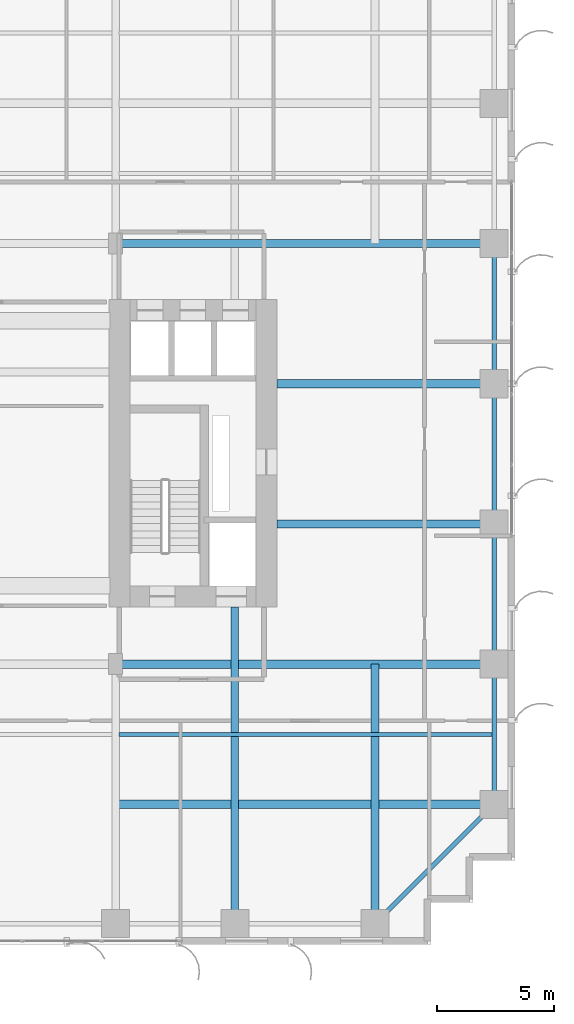
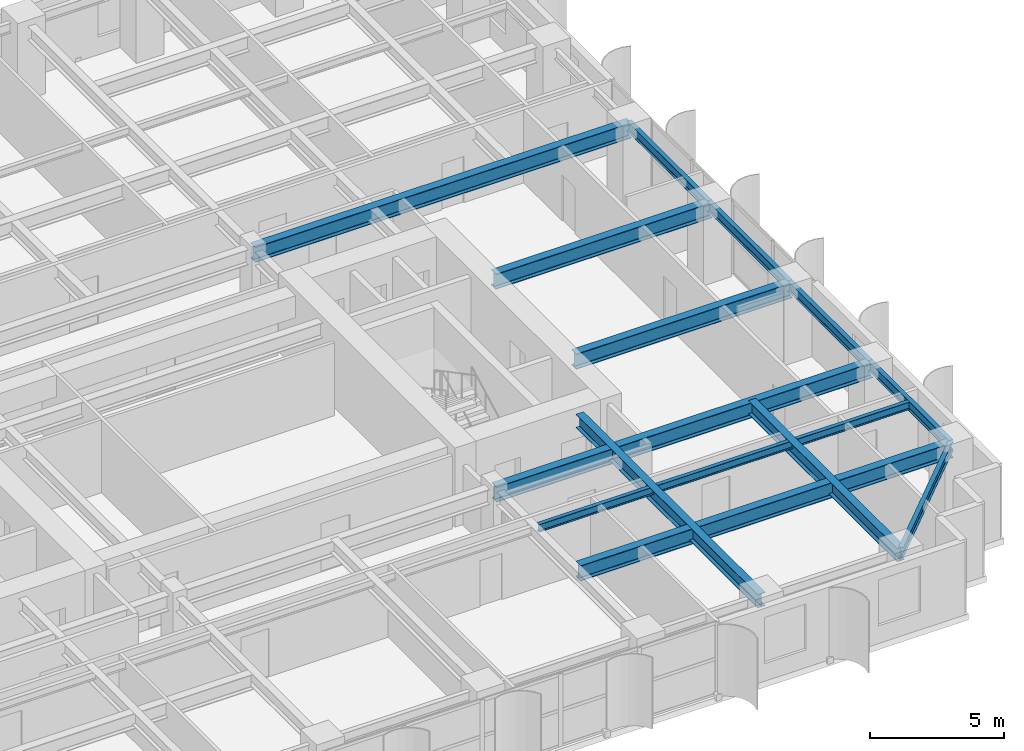
# One storey, part 10 of 25: 13 beams.
"""IFC4 building model written with IfcOpenShell, lengths in metres."""

from ifc_helpers import new_model, si_unit, direction, frame, origin, origin_2d, place, context, subcontext, project, spatial, i_section, extrude, source, transform, mapped, material, material_profile, profile_set, type_object, element, save


model = new_model("IFC4")

# Units and contexts
model_context = context("Model", 3, precision=1e-05, world=origin(), true_north=direction((0.0, 1.0)))
body_context = subcontext(model_context, "Body", "Model", "MODEL_VIEW")
ifc_project = project(units=[si_unit("LENGTHUNIT", "METRE"), si_unit("AREAUNIT", "SQUARE_METRE"), si_unit("VOLUMEUNIT", "CUBIC_METRE"), si_unit("PLANEANGLEUNIT", "RADIAN"), si_unit("MASSUNIT", "GRAM", prefix="KILO")], contexts=[model_context])

# Site, building, storey
site_placement = place(None, origin())
site = spatial("IfcSite", under=ifc_project, at=site_placement, CompositionType="ELEMENT")
building_placement = place(site_placement, origin())
building = spatial("IfcBuilding", under=site, at=building_placement, Name="Khoralis Quay Care Tower", CompositionType="ELEMENT")
storey_placement = place(building_placement, frame((0.0, 0.0, 51.300048828125)))
storey = spatial("IfcBuildingStorey", under=building, at=storey_placement, Name="L13", CompositionType="ELEMENT", Elevation=51.300048828125)

# Beams
ifc_material = material(Name="Steel S355", Category="steel")
ifc_material_profile_1 = material_profile(ifc_material, i_section(OverallWidth=0.18994140625, OverallDepth=0.449951171875, WebThickness=0.009521484375, FlangeThickness=0.0146484375, FilletRadius=0.02099609375, at=origin_2d()), Name="Steel S355")
ifc_profile_set_1 = profile_set([ifc_material_profile_1], Name="Steel S355")
beam_type_1 = type_object("IfcBeamType", Name="BM-IPE450", PredefinedType="SPANDREL", material=ifc_profile_set_1)
shared_shape_1 = source(origin(), body_context, "Body", "SweptSolid", [
    extrude(i_section(OverallWidth=0.18994140625, OverallDepth=0.449951171875, WebThickness=0.009521484375, FlangeThickness=0.0146484375, FilletRadius=0.02099609375, at=origin_2d()), origin(), (0.0, 0.0, 1.0), 6.0),
])
for number, where, z_axis, x_axis, name in (
    (1, (47.10009765625, 6.0, 3.094970703125), (0.0, 1.0, 0.0), (-1.0, 0.0, 0.0), "BM-TSP-L13-19"),
    (2, (47.10009765625, 12.0, 3.094970703125), (0.0, 1.0, 0.0), (-1.0, 0.0, 0.0), "BM-TSP-L13-20"),
    (3, (47.10009765625, 18.0, 3.094970703125), (0.0, 1.0, 0.0), (-1.0, 0.0, 0.0), "BM-TSP-L13-21"),
    (4, (47.10009765625, 24.0, 3.094970703125), (0.0, 1.0, 0.0), (-1.0, 0.0, 0.0), "BM-TSP-L13-22"),
):
    element("IfcBeam", number, at=place(storey_placement, frame(where, z_axis=z_axis, x_axis=x_axis)), inside=storey, type_object=beam_type_1, Name=name, PredefinedType="SPANDREL", context=body_context, shape_type="MappedRepresentation", body=[
        mapped(shared_shape_1, transform((0.0, 0.0, 0.0), scale=1.0)),
    ])
shared_shape_2 = source(origin(), body_context, "Body", "SweptSolid", [
    extrude(i_section(OverallWidth=0.18994140625, OverallDepth=0.449951171875, WebThickness=0.009521484375, FlangeThickness=0.0146484375, FilletRadius=0.02099609375, at=origin_2d()), origin(), (0.0, 0.0, 1.0), 7.212646484375),
])
beam_1_placement = place(storey_placement, frame((42.0, 0.89990234375, 3.094970703125), z_axis=(0.707106781187, 0.707106781187, 0.0), x_axis=(-0.707106781187, 0.707106781187, 0.0)))
element("IfcBeam", 5, at=beam_1_placement, inside=storey, type_object=beam_type_1, Name="BM-TCR-L13-26", PredefinedType="SPANDREL", context=body_context, shape_type="MappedRepresentation", body=[
    mapped(shared_shape_2, transform((0.0, 0.0, 0.0), scale=1.0)),
])
ifc_material_profile_2 = material_profile(ifc_material, i_section(OverallWidth=0.35498046875, OverallDepth=0.695068359375, WebThickness=0.015380859375, FlangeThickness=0.02490234375, FilletRadius=0.02001953125, at=origin_2d()), Name="Steel S355")
ifc_profile_set_2 = profile_set([ifc_material_profile_2], Name="Steel S355")
beam_type_2 = type_object("IfcBeamType", Name="BM-W690X217", PredefinedType="BEAM", material=ifc_profile_set_2)
shared_shape_3 = source(origin(), body_context, "Body", "SweptSolid", [
    extrude(i_section(OverallWidth=0.35498046875, OverallDepth=0.695068359375, WebThickness=0.015380859375, FlangeThickness=0.02490234375, FilletRadius=0.02001953125, at=origin_2d()), origin(), (0.0, 0.0, 1.0), 16.049560546875),
])
beam_2_placement = place(storey_placement, frame((31.050537109375, 6.0, 2.972412109375), z_axis=(1.0, 0.0, 0.0), x_axis=(0.0, 1.0, 0.0)))
element("IfcBeam", 6, at=beam_2_placement, inside=storey, type_object=beam_type_2, Name="BM-TGXE-L13-60", PredefinedType="BEAM", context=body_context, shape_type="MappedRepresentation", body=[
    mapped(shared_shape_3, transform((0.0, 0.0, 0.0), scale=1.0)),
])
shared_shape_4 = source(origin(), body_context, "Body", "SweptSolid", [
    extrude(i_section(OverallWidth=0.35498046875, OverallDepth=0.695068359375, WebThickness=0.015380859375, FlangeThickness=0.02490234375, FilletRadius=0.02001953125, at=origin_2d()), origin(), (0.0, 0.0, 1.0), 16.2001953125),
])
for number, where, z_axis, x_axis, name in (
    (7, (30.89990234375, 12.0, 2.972412109375), (1.0, 0.0, 0.0), (0.0, 1.0, 0.0), "BM-TGXE-L13-120"),
    (8, (30.89990234375, 30.0, 2.972412109375), (1.0, 0.0, 0.0), (0.0, 1.0, 0.0), "BM-TGXE-L13-300"),
):
    element("IfcBeam", number, at=place(storey_placement, frame(where, z_axis=z_axis, x_axis=x_axis)), inside=storey, type_object=beam_type_2, Name=name, PredefinedType="BEAM", context=body_context, shape_type="MappedRepresentation", body=[
        mapped(shared_shape_4, transform((0.0, 0.0, 0.0), scale=1.0)),
    ])
shared_shape_5 = source(origin(), body_context, "Body", "SweptSolid", [
    extrude(i_section(OverallWidth=0.35498046875, OverallDepth=0.695068359375, WebThickness=0.015380859375, FlangeThickness=0.02490234375, FilletRadius=0.02001953125, at=origin_2d()), origin(), (0.0, 0.0, 1.0), 9.302001953125),
])
for number, where, z_axis, x_axis, name in (
    (9, (37.798095703125, 18.0, 2.972412109375), (1.0, 0.0, 0.0), (0.0, 1.0, 0.0), "BM-TGXE-L13-180"),
    (10, (37.798095703125, 24.0, 2.972412109375), (1.0, 0.0, 0.0), (0.0, 1.0, 0.0), "BM-TGXE-L13-240"),
):
    element("IfcBeam", number, at=place(storey_placement, frame(where, z_axis=z_axis, x_axis=x_axis)), inside=storey, type_object=beam_type_2, Name=name, PredefinedType="BEAM", context=body_context, shape_type="MappedRepresentation", body=[
        mapped(shared_shape_5, transform((0.0, 0.0, 0.0), scale=1.0)),
    ])
ifc_material_profile_3 = material_profile(ifc_material, i_section(OverallWidth=0.324951171875, OverallDepth=0.615966796875, WebThickness=0.013916015625, FlangeThickness=0.021484375, FilletRadius=0.01806640625, at=origin_2d()), Name="Steel S355")
ifc_profile_set_3 = profile_set([ifc_material_profile_3], Name="Steel S355")
beam_type_3 = type_object("IfcBeamType", Name="BM-W610X174", PredefinedType="BEAM", material=ifc_profile_set_3)
shared_shape_6 = source(origin(), body_context, "Body", "SweptSolid", [
    extrude(i_section(OverallWidth=0.324951171875, OverallDepth=0.615966796875, WebThickness=0.013916015625, FlangeThickness=0.021484375, FilletRadius=0.01806640625, at=origin_2d()), origin(), (0.0, 0.0, 1.0), 11.10009765625),
])
beam_3_placement = place(storey_placement, frame((42.0, 0.89990234375, 3.011962890625), z_axis=(0.0, 1.0, 0.0), x_axis=(-1.0, 0.0, 0.0)))
element("IfcBeam", 11, at=beam_3_placement, inside=storey, type_object=beam_type_3, Name="BM-TGYS-L13-420", PredefinedType="BEAM", context=body_context, shape_type="MappedRepresentation", body=[
    mapped(shared_shape_6, transform((0.0, 0.0, 0.0), scale=1.0)),
])
shared_shape_7 = source(origin(), body_context, "Body", "SweptSolid", [
    extrude(i_section(OverallWidth=0.324951171875, OverallDepth=0.615966796875, WebThickness=0.013916015625, FlangeThickness=0.021484375, FilletRadius=0.01806640625, at=origin_2d()), origin(), (0.0, 0.0, 1.0), 13.552001953125),
])
beam_4_placement = place(storey_placement, frame((36.0, 0.89990234375, 3.011962890625), z_axis=(0.0, 1.0, 0.0), x_axis=(-1.0, 0.0, 0.0)))
element("IfcBeam", 12, at=beam_4_placement, inside=storey, type_object=beam_type_3, Name="BM-TGYS-L13-360", PredefinedType="BEAM", context=body_context, shape_type="MappedRepresentation", body=[
    mapped(shared_shape_7, transform((0.0, 0.0, 0.0), scale=1.0)),
])
ifc_material_profile_4 = material_profile(ifc_material, i_section(OverallWidth=0.1708984375, OverallDepth=0.35498046875, WebThickness=0.007080078125, FlangeThickness=0.01171875, FilletRadius=0.012939453125, at=origin_2d()), Name="Steel S355")
ifc_profile_set_4 = profile_set([ifc_material_profile_4], Name="Steel S355")
beam_type_4 = type_object("IfcBeamType", Name="BM-W360X51", PredefinedType="JOIST", material=ifc_profile_set_4)
shared_shape_8 = source(origin(), body_context, "Body", "SweptSolid", [
    extrude(i_section(OverallWidth=0.1708984375, OverallDepth=0.35498046875, WebThickness=0.007080078125, FlangeThickness=0.01171875, FilletRadius=0.012939453125, at=origin_2d()), origin(), (0.0, 0.0, 1.0), 15.968505859375),
])
beam_5_placement = place(storey_placement, frame((31.050537109375, 9.0, 3.142333984375), z_axis=(1.0, 0.0, 0.0), x_axis=(0.0, 1.0, 0.0)))
element("IfcBeam", 13, at=beam_5_placement, inside=storey, type_object=beam_type_4, Name="BM-TJS-L13-30", PredefinedType="JOIST", context=body_context, shape_type="MappedRepresentation", body=[
    mapped(shared_shape_8, transform((0.0, 0.0, 0.0), scale=1.0)),
])

save(model, "model.ifc")
